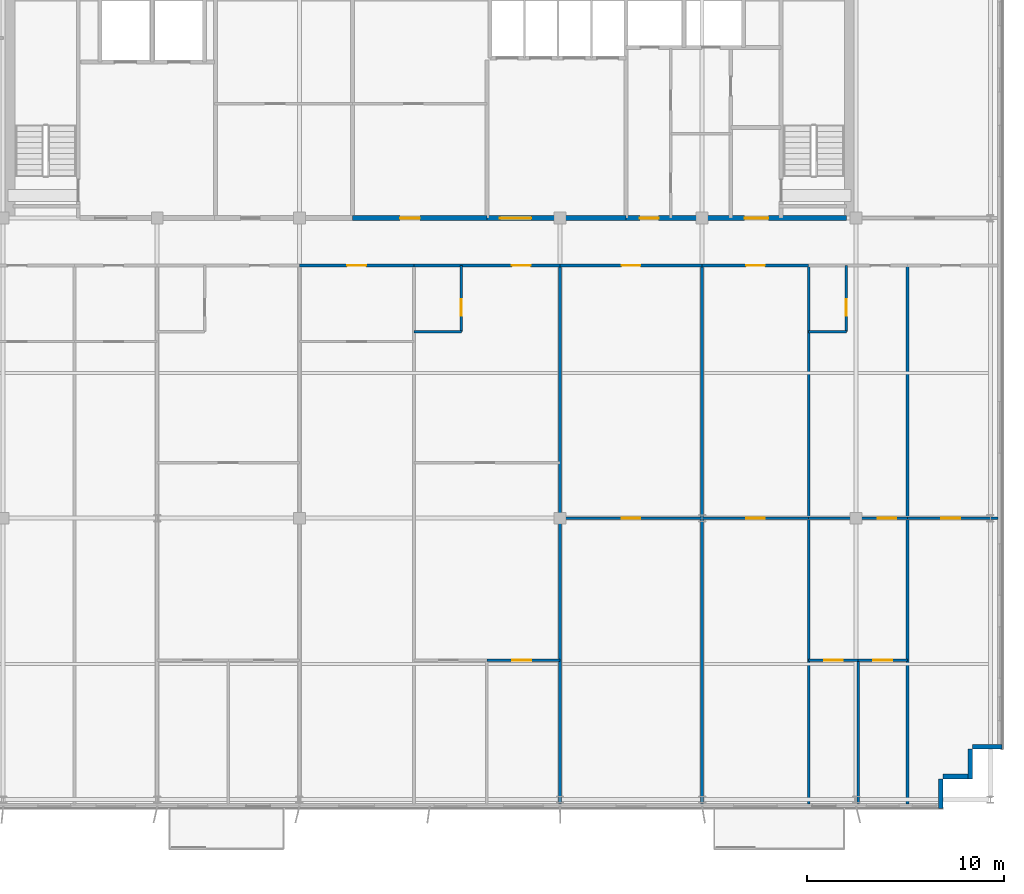
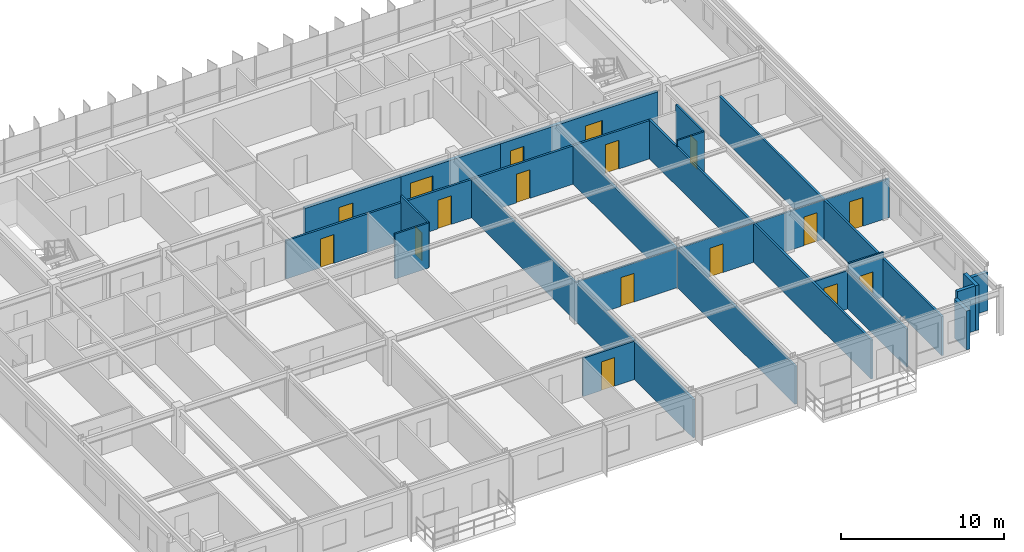
# One storey, part 18 of 23: 27 walls, 17 doors, 17 openings.
"""IFC4 building model written with IfcOpenShell, lengths in metres."""

import ifcopenshell
import ifcopenshell.guid

model = None  # the IFC model being written
_history = None  # IfcOwnerHistory: only IFC2X3 demands one
_inside = {}  # id of a spatial element -> (the spatial element, [elements in it])
_under = {}  # id of a project, library or spatial element -> (it, [spatial elements below it])
_declared = {}  # id of a project -> (the project, [libraries it declares])
_typed = {}  # id of a type object -> (the type object, [elements of that type])
_made_of = {}  # id of a material, layer set ... -> (it, [elements and type objects made of it])


def new_model(schema):
    """Start an empty IFC model of exactly this schema.

    Asked for "IFC4X3", IfcOpenShell would pick the latest addendum, in which some entities
    have other attributes; the version numbers below select the first issue.
    IFC2X3 requires an IfcOwnerHistory on every rooted entity: one is made here for all.
    """
    global model, _history
    if schema == "IFC4X3":
        model = ifcopenshell.file(schema_version=(4, 3, 0, 0))
    else:
        model = ifcopenshell.file(schema=schema)
    _inside.clear()
    _under.clear()
    _declared.clear()
    _typed.clear()
    _made_of.clear()
    _history = None
    if model.schema == "IFC2X3":
        org = make("IfcOrganization", Name="unknown")
        user = make(
            "IfcPersonAndOrganization",
            ThePerson=make("IfcPerson", FamilyName="unknown"),
            TheOrganization=org,
        )
        app = make(
            "IfcApplication",
            ApplicationDeveloper=org,
            Version="unknown",
            ApplicationFullName="unknown",
            ApplicationIdentifier="unknown",
        )
        _history = make(
            "IfcOwnerHistory",
            OwningUser=user,
            OwningApplication=app,
            ChangeAction="ADDED",
            CreationDate=0,
        )
    return model


def make(cls, **values):
    """One entity of the class cls with the attributes given. An attribute that is None is left unset."""
    return model.create_entity(
        cls, **{name: value for name, value in values.items() if value is not None}
    )


def rooted(cls, **values):
    """An entity with a GlobalId (a new one), such as an element, a storey or a relation."""
    return make(cls, GlobalId=ifcopenshell.guid.new(), OwnerHistory=_history, **values)


def si_unit(unit_type, name, prefix=None):
    """IfcSIUnit, for example si_unit("LENGTHUNIT", "METRE", prefix="MILLI")."""
    return make("IfcSIUnit", UnitType=unit_type, Prefix=prefix, Name=name)


def assignment(units):
    """IfcUnitAssignment: the units of a project."""
    return None if units is None else make("IfcUnitAssignment", Units=units)


def point(xyz):
    """IfcCartesianPoint."""
    return None if xyz is None else make("IfcCartesianPoint", Coordinates=xyz)


def direction(xyz):
    """IfcDirection."""
    return None if xyz is None else make("IfcDirection", DirectionRatios=xyz)


def frame(location, z_axis=None, x_axis=None):
    """IfcAxis2Placement3D, a coordinate frame: its origin and axes. An axis left out is left unset."""
    return make(
        "IfcAxis2Placement3D",
        Location=point(location),
        Axis=direction(z_axis),
        RefDirection=direction(x_axis),
    )


def frame_2d(location, x_axis=None):
    """IfcAxis2Placement2D, a coordinate frame in the plane: its origin and x axis."""
    return make(
        "IfcAxis2Placement2D", Location=point(location), RefDirection=direction(x_axis)
    )


def origin():
    """The frame at (0, 0, 0) with its axes left unset."""
    return frame((0.0, 0.0, 0.0))


def place(relative_to, where):
    """IfcLocalPlacement: puts the frame where relative to a parent placement (None: the world)."""
    return make(
        "IfcLocalPlacement", PlacementRelTo=relative_to, RelativePlacement=where
    )


def context(
    kind, dimensions, precision=None, world=None, true_north=None, identifier=None
):
    """IfcGeometricRepresentationContext, for example the 3D "Model" context."""
    return make(
        "IfcGeometricRepresentationContext",
        ContextIdentifier=identifier,
        ContextType=kind,
        CoordinateSpaceDimension=dimensions,
        Precision=precision,
        WorldCoordinateSystem=world,
        TrueNorth=true_north,
    )


def subcontext(parent, identifier, kind, view, scale=None):
    """IfcGeometricRepresentationSubContext, for example "Body" below "Model"."""
    return make(
        "IfcGeometricRepresentationSubContext",
        ContextIdentifier=identifier,
        ContextType=kind,
        ParentContext=parent,
        TargetScale=scale,
        TargetView=view,
    )


def project(units=None, contexts=None):
    """IfcProject with its units and contexts."""
    return rooted(
        "IfcProject",
        Name="project",
        RepresentationContexts=contexts,
        UnitsInContext=assignment(units),
    )


def spatial(cls, under=None, at=None, **own):
    """A site, building, storey or space (cls), placed at a placement, below another one or the project."""
    s = rooted(cls, ObjectPlacement=at, **own)
    if under is not None:
        _under.setdefault(under.id(), (under, []))[1].append(s)
    return s


def profile(cls, at=None, kind="AREA", **sizes):
    """A parametric profile (cls). Its sizes go by their IFC names, for example OverallWidth=200.0."""
    return make(cls, ProfileType=kind, Position=at, **sizes)


def rectangle(**sizes):
    """IfcRectangleProfileDef."""
    return profile("IfcRectangleProfileDef", **sizes)


def extrude(swept, where, along, depth):
    """IfcExtrudedAreaSolid: the profile swept, set in the frame where, extruded along a direction by depth."""
    return make(
        "IfcExtrudedAreaSolid",
        SweptArea=swept,
        Position=where,
        ExtrudedDirection=direction(along),
        Depth=depth,
    )


def shape(context_of_items, identifier, shape_type, items):
    """IfcShapeRepresentation: the items that make up one representation, for example the "Body"."""
    return make(
        "IfcShapeRepresentation",
        ContextOfItems=context_of_items,
        RepresentationIdentifier=identifier,
        RepresentationType=shape_type,
        Items=items,
    )


def source(mapping_origin, context_of_items, identifier, shape_type, items):
    """IfcRepresentationMap: a shape defined once, which mapped items show again and again."""
    return make(
        "IfcRepresentationMap",
        MappingOrigin=mapping_origin,
        MappedRepresentation=shape(context_of_items, identifier, shape_type, items),
    )


def transform(
    local_origin,
    x_axis=None,
    y_axis=None,
    z_axis=None,
    scale=None,
    scale2=None,
    scale3=None,
    uniform=True,
):
    """IfcCartesianTransformationOperator3D, or its non-uniform kind. x_axis, y_axis, z_axis: its Axis1, 2, 3."""
    if uniform:
        return make(
            "IfcCartesianTransformationOperator3D",
            Axis1=direction(x_axis),
            Axis2=direction(y_axis),
            LocalOrigin=point(local_origin),
            Scale=scale,
            Axis3=direction(z_axis),
        )
    return make(
        "IfcCartesianTransformationOperator3DnonUniform",
        Axis1=direction(x_axis),
        Axis2=direction(y_axis),
        LocalOrigin=point(local_origin),
        Scale=scale,
        Axis3=direction(z_axis),
        Scale2=scale2,
        Scale3=scale3,
    )


def mapped(mapping_source, mapping_target):
    """IfcMappedItem: shows the shape of a source again, moved by a transform."""
    return make(
        "IfcMappedItem", MappingSource=mapping_source, MappingTarget=mapping_target
    )


def material(Name=None, Category=None):
    """IfcMaterial."""
    return make("IfcMaterial", Name=Name, Category=Category)


def layer(
    of_material, thickness, ventilated=None, Name=None, Category=None, Priority=None
):
    """IfcMaterialLayer: one layer of a wall or slab, of a material (None: an air gap)."""
    return make(
        "IfcMaterialLayer",
        Material=of_material,
        LayerThickness=thickness,
        IsVentilated=ventilated,
        Name=Name,
        Category=Category,
        Priority=Priority,
    )


def layer_set(layers, Name=None):
    """IfcMaterialLayerSet."""
    return make("IfcMaterialLayerSet", MaterialLayers=layers, LayerSetName=Name)


def made_of(thing, what):
    """Note that an element or type object is made of a material, layer set ...; save() writes the relation."""
    if what is not None:
        _made_of.setdefault(what.id(), (what, []))[1].append(thing)
    return thing


def type_object(cls, material=None, **own):
    """A type object (cls), such as IfcWallType, which elements share."""
    return made_of(rooted(cls, **own), material)


def element(
    cls,
    number,
    at=None,
    inside=None,
    cuts=None,
    type_object=None,
    material=None,
    context=None,
    identifier="Body",
    shape_type=None,
    held_by="IfcProductDefinitionShape",
    body=None,
    shapes=None,
    **own,
):
    """One element of the class cls, such as IfcWall. Its Tag is "e" and its number.

    at: its placement. inside: the storey or other place that contains it. cuts: it is an
    opening in that element (IfcRelVoidsElement). A single representation is given by context,
    identifier, shape_type and body (its items); several are given by shapes. held_by: the class
    of the entity that holds the representations. save() writes the other relations.
    """
    e = rooted(cls, Tag="e%d" % number, ObjectPlacement=at, **own)
    if body is not None:
        shapes = [shape(context, identifier, shape_type, body)]
    if shapes is not None:
        e.Representation = make(held_by, Representations=shapes)
    if inside is not None:
        _inside.setdefault(inside.id(), (inside, []))[1].append(e)
    if cuts is not None:
        rooted(
            "IfcRelVoidsElement", RelatingBuildingElement=cuts, RelatedOpeningElement=e
        )
    if type_object is not None:
        _typed.setdefault(type_object.id(), (type_object, []))[1].append(e)
    return made_of(e, material)


def fill(opening, filler):
    """IfcRelFillsElement: the door or window that sits in an opening."""
    return rooted(
        "IfcRelFillsElement",
        RelatingOpeningElement=opening,
        RelatedBuildingElement=filler,
    )


def aggregate(whole, parts):
    """IfcRelAggregates: a whole, such as a stair, and the parts it consists of."""
    return rooted("IfcRelAggregates", RelatingObject=whole, RelatedObjects=parts)


def save(model, path):
    """Write the relations noted so far, then the file.

    IfcRelAggregates (storeys below a building ...), IfcRelContainedInSpatialStructure (elements
    in a storey), IfcRelDefinesByType, IfcRelAssociatesMaterial and IfcRelDeclares: one each for
    every whole, place, type object, material and project.
    """
    for whole, parts in _under.values():
        aggregate(whole, parts)
    for where, things in _inside.values():
        rooted(
            "IfcRelContainedInSpatialStructure",
            RelatedElements=things,
            RelatingStructure=where,
        )
    for kind, things in _typed.values():
        rooted("IfcRelDefinesByType", RelatedObjects=things, RelatingType=kind)
    for what, things in _made_of.values():
        rooted("IfcRelAssociatesMaterial", RelatedObjects=things, RelatingMaterial=what)
    for by, libraries in _declared.values():
        rooted("IfcRelDeclares", RelatingContext=by, RelatedDefinitions=libraries)
    model.write(path)


model = new_model("IFC4")

# Units and contexts
model_context = context("Model", 3, precision=1e-05, world=origin(), true_north=direction((0.0, 1.0)))
body_context = subcontext(model_context, "Body", "Model", "MODEL_VIEW")
ifc_project = project(units=[si_unit("LENGTHUNIT", "METRE"), si_unit("AREAUNIT", "SQUARE_METRE"), si_unit("VOLUMEUNIT", "CUBIC_METRE"), si_unit("PLANEANGLEUNIT", "RADIAN"), si_unit("MASSUNIT", "GRAM", prefix="KILO")], contexts=[model_context])

# Site, building, storey
site_placement = place(None, origin())
site = spatial("IfcSite", under=ifc_project, at=site_placement, CompositionType="ELEMENT")
building_placement = place(site_placement, origin())
building = spatial("IfcBuilding", under=site, at=building_placement, Name="Trelvane Seafront Commons", CompositionType="ELEMENT")
storey_placement = place(building_placement, frame((0.0, 0.0, 263.10009765625)))
storey = spatial("IfcBuildingStorey", under=building, at=storey_placement, Name="L68", CompositionType="ELEMENT", Elevation=263.10009765625)

# Walls
ifc_material_1 = material(Name="Precast concrete C40/50", Category="concrete")
ifc_layer_1 = layer(ifc_material_1, 0.239990234375, Name="ARCH-WALL-EXT240")
ifc_layer_set_1 = layer_set([ifc_layer_1], Name="Precast concrete C40/50")
wall_type_1 = type_object("IfcWallType", Name="ARCH-WALL-EXT240", PredefinedType="SOLIDWALL", material=ifc_layer_set_1)
wall_1_placement = place(storey_placement, frame((66.199951171875, 6.6201171875, 0.0), z_axis=(0.0, 0.0, 1.0), x_axis=(-1.0, 0.0, 0.0)))
element("IfcWall", 1, at=wall_1_placement, inside=storey, type_object=wall_type_1, Name="EW-L68-01376", PredefinedType="SOLIDWALL", context=body_context, shape_type="SweptSolid", body=[
    extrude(rectangle(XDim=1.5, YDim=0.239990234375, at=frame_2d((0.75, 0.0))), origin(), (0.0, 0.0, 1.0), 2.869873046875),
])
for number, where, z_axis, x_axis, name in (
    (2, (64.580078125, 6.5, 0.0), (0.0, 0.0, 1.0), (0.0, -1.0, 0.0), "EW-L68-01377"),
    (3, (64.699951171875, 5.1201171875, 0.0), (0.0, 0.0, 1.0), (-1.0, 0.0, 0.0), "EW-L68-01378"),
):
    element("IfcWall", number, at=place(storey_placement, frame(where, z_axis=z_axis, x_axis=x_axis)), inside=storey, type_object=wall_type_1, Name=name, PredefinedType="SOLIDWALL", context=body_context, shape_type="SweptSolid", body=[
        extrude(rectangle(XDim=1.5, YDim=0.239990234375, at=frame_2d((0.75, 0.0))), origin(), (0.0, 0.0, 1.0), 3.369873046875),
    ])
wall_2_placement = place(storey_placement, frame((63.080078125, 5.0, 0.0), z_axis=(0.0, 0.0, 1.0), x_axis=(0.0, -1.0, 0.0)))
element("IfcWall", 4, at=wall_2_placement, inside=storey, type_object=wall_type_1, Name="EW-L68-01379", PredefinedType="SOLIDWALL", context=body_context, shape_type="SweptSolid", body=[
    extrude(rectangle(XDim=1.5, YDim=0.239990234375, at=frame_2d((0.75, 0.0))), origin(), (0.0, 0.0, 1.0), 2.919921875),
])

# Wall, opening, door
ifc_material_2 = material(Name="Concrete C40/50", Category="concrete")
ifc_layer_2 = layer(ifc_material_2, 0.25, Name="ARCH-WALL-FIRE250")
ifc_layer_set_2 = layer_set([ifc_layer_2], Name="Concrete C40/50")
wall_type_2 = type_object("IfcWallType", Name="ARCH-WALL-FIRE250", PredefinedType="PARTITIONING", material=ifc_layer_set_2)
wall_3_placement = place(storey_placement, frame((33.300048828125, 33.39990234375, 0.0), z_axis=(0.0, 0.0, 1.0), x_axis=(1.0, 0.0, 0.0)))
wall_3 = element("IfcWall", 5, at=wall_3_placement, inside=storey, type_object=wall_type_2, Name="W-L68-CS-FPM-025", PredefinedType="PARTITIONING", context=body_context, shape_type="SweptSolid", body=[
    extrude(rectangle(XDim=6.800048828125, YDim=0.25, at=frame_2d((3.39990234375, 0.0))), origin(), (0.0, 0.0, 1.0), 2.919921875),
])
opening_1_placement = place(wall_3_placement, frame((2.39990234375, 0.0, 0.0)))
opening_1 = element("IfcOpeningElement", 6, at=opening_1_placement, cuts=wall_3, Name="Opening FD-L68-13", PredefinedType="OPENING", context=body_context, shape_type="SweptSolid", body=[
    extrude(rectangle(XDim=1.0, YDim=2.14990234375, at=frame_2d((0.5, 1.074951171875))), frame((0.0, 0.135009765625, 0.0), z_axis=(0.0, -1.0, 0.0), x_axis=(1.0, 0.0, 0.0)), (0.0, 0.0, 1.0), 0.27001953125),
])
ifc_material_3 = material(Name="Powder-coated aluminium frame", Category="aluminium")
door_type_1 = type_object("IfcDoorType", Name="ARCH-DR-FD60-1000", OperationType="NOTDEFINED", PredefinedType="DOOR", material=ifc_material_3)
shared_shape_1 = source(origin(), body_context, "Body", "SweptSolid", [
    extrude(rectangle(XDim=1.0, YDim=2.14990234375, at=frame_2d((0.5, 1.074951171875))), frame((0.0, 0.02490234375, 0.0), z_axis=(0.0, -1.0, 0.0), x_axis=(1.0, 0.0, 0.0)), (0.0, 0.0, 1.0), 0.050048828125),
])
door_1_placement = place(opening_1_placement, origin())
door_1 = element("IfcDoor", 7, at=door_1_placement, inside=storey, type_object=door_type_1, Name="L68 Trunk Storage Door", OperationType="SINGLE_SWING_LEFT", OverallHeight=2.14990234375, OverallWidth=1.0, PredefinedType="DOOR", context=body_context, shape_type="MappedRepresentation", body=[
    mapped(shared_shape_1, transform((0.0, 0.0, 0.0), x_axis=(1.0, 0.0, 0.0), y_axis=(0.0, 1.0, 0.0), z_axis=(0.0, 0.0, 1.0), scale=1.0)),
])
fill(opening_1, door_1)

wall_4_placement = place(storey_placement, frame((40.10009765625, 33.39990234375, 0.0), z_axis=(0.0, 0.0, 1.0), x_axis=(1.0, 0.0, 0.0)))
wall_4 = element("IfcWall", 8, at=wall_4_placement, inside=storey, type_object=wall_type_2, Name="W-L68-CS-PAX-026", PredefinedType="PARTITIONING", context=body_context, shape_type="SweptSolid", body=[
    extrude(rectangle(XDim=7.0498046875, YDim=0.25, at=frame_2d((3.52490234375, 0.0))), origin(), (0.0, 0.0, 1.0), 2.919921875),
])
opening_2_placement = place(wall_4_placement, frame((0.64990234375, 0.0, 0.0)))
opening_2 = element("IfcOpeningElement", 9, at=opening_2_placement, cuts=wall_4, Name="Opening FD-L68-14", PredefinedType="OPENING", context=body_context, shape_type="SweptSolid", body=[
    extrude(rectangle(XDim=1.60009765625, YDim=2.199951171875, at=frame_2d((0.800048828125, 1.10009765625))), frame((0.0, 0.135009765625, 0.0), z_axis=(0.0, -1.0, 0.0), x_axis=(1.0, 0.0, 0.0)), (0.0, 0.0, 1.0), 0.27001953125),
])
door_type_2 = type_object("IfcDoorType", Name="ARCH-DR-FD60-1600", OperationType="DOUBLE_DOOR_SINGLE_SWING", PredefinedType="DOOR", material=ifc_material_3)
shared_shape_2 = source(origin(), body_context, "Body", "SweptSolid", [
    extrude(rectangle(XDim=1.60009765625, YDim=2.199951171875, at=frame_2d((0.800048828125, 1.10009765625))), frame((0.0, 0.02490234375, 0.0), z_axis=(0.0, -1.0, 0.0), x_axis=(1.0, 0.0, 0.0)), (0.0, 0.0, 1.0), 0.050048828125),
])
door_2_placement = place(opening_2_placement, origin())
door_2 = element("IfcDoor", 10, at=door_2_placement, inside=storey, type_object=door_type_2, Name="L68 High-Rise Lift Lobby Double Door", OperationType="DOUBLE_DOOR_SINGLE_SWING", OverallHeight=2.199951171875, OverallWidth=1.60009765625, PredefinedType="DOOR", context=body_context, shape_type="MappedRepresentation", body=[
    mapped(shared_shape_2, transform((0.0, 0.0, 0.0), x_axis=(1.0, 0.0, 0.0), y_axis=(0.0, 1.0, 0.0), z_axis=(0.0, 0.0, 1.0), scale=1.0)),
])
fill(opening_2, door_2)

# Wall, openings, doors
wall_5_placement = place(storey_placement, frame((47.14990234375, 33.39990234375, 0.0), z_axis=(0.0, 0.0, 1.0), x_axis=(1.0, 0.0, 0.0)))
wall_5 = element("IfcWall", 11, at=wall_5_placement, inside=storey, type_object=wall_type_2, Name="W-L68-CS-EAST-034", PredefinedType="PARTITIONING", context=body_context, shape_type="SweptSolid", body=[
    extrude(rectangle(XDim=11.150146484375, YDim=0.25, at=frame_2d((5.5751953125, 0.0))), origin(), (0.0, 0.0, 1.0), 2.919921875),
])
opening_3_placement = place(wall_5_placement, frame((0.699951171875, 0.0, 0.0)))
opening_3 = element("IfcOpeningElement", 12, at=opening_3_placement, cuts=wall_5, Name="Opening FD-L68-20", PredefinedType="OPENING", context=body_context, shape_type="SweptSolid", body=[
    extrude(rectangle(XDim=0.949951171875, YDim=2.14990234375, at=frame_2d((0.47509765625, 1.074951171875))), frame((0.0, 0.135009765625, 0.0), z_axis=(0.0, -1.0, 0.0), x_axis=(1.0, 0.0, 0.0)), (0.0, 0.0, 1.0), 0.27001953125),
])
opening_4_placement = place(wall_5_placement, frame((6.0, 0.0, 0.0)))
opening_4 = element("IfcOpeningElement", 13, at=opening_4_placement, cuts=wall_5, Name="Opening FD-L68-21", PredefinedType="OPENING", context=body_context, shape_type="SweptSolid", body=[
    extrude(rectangle(XDim=1.199951171875, YDim=2.14990234375, at=frame_2d((0.60009765625, 1.074951171875))), frame((0.0, 0.135009765625, 0.0), z_axis=(0.0, -1.0, 0.0), x_axis=(1.0, 0.0, 0.0)), (0.0, 0.0, 1.0), 0.27001953125),
])
door_type_3 = type_object("IfcDoorType", Name="ARCH-DR-FD60-950", OperationType="NOTDEFINED", PredefinedType="DOOR", material=ifc_material_3)
shared_shape_3 = source(origin(), body_context, "Body", "SweptSolid", [
    extrude(rectangle(XDim=0.949951171875, YDim=2.14990234375, at=frame_2d((0.47509765625, 1.074951171875))), frame((0.0, 0.02490234375, 0.0), z_axis=(0.0, -1.0, 0.0), x_axis=(1.0, 0.0, 0.0)), (0.0, 0.0, 1.0), 0.050048828125),
])
door_3_placement = place(opening_3_placement, origin())
door_3 = element("IfcDoor", 14, at=door_3_placement, inside=storey, type_object=door_type_3, Name="L68 Core Service Lobby Door", OperationType="SINGLE_SWING_RIGHT", OverallHeight=2.14990234375, OverallWidth=0.949951171875, PredefinedType="DOOR", context=body_context, shape_type="MappedRepresentation", body=[
    mapped(shared_shape_3, transform((0.0, 0.0, 0.0), x_axis=(1.0, 0.0, 0.0), y_axis=(0.0, 1.0, 0.0), z_axis=(0.0, 0.0, 1.0), scale=1.0)),
])
fill(opening_3, door_3)
door_type_4 = type_object("IfcDoorType", Name="ARCH-DR-FD60-1200", OperationType="NOTDEFINED", PredefinedType="DOOR", material=ifc_material_3)
shared_shape_4 = source(origin(), body_context, "Body", "SweptSolid", [
    extrude(rectangle(XDim=1.199951171875, YDim=2.14990234375, at=frame_2d((0.60009765625, 1.074951171875))), frame((0.0, 0.02490234375, 0.0), z_axis=(0.0, -1.0, 0.0), x_axis=(1.0, 0.0, 0.0)), (0.0, 0.0, 1.0), 0.050048828125),
])
door_4_placement = place(opening_4_placement, origin())
door_4 = element("IfcDoor", 15, at=door_4_placement, inside=storey, type_object=door_type_4, Name="L68 East Stair Vestibule Fire Door", OperationType="SINGLE_SWING_LEFT", OverallHeight=2.14990234375, OverallWidth=1.199951171875, PredefinedType="DOOR", context=body_context, shape_type="MappedRepresentation", body=[
    mapped(shared_shape_4, transform((0.0, 0.0, 0.0), x_axis=(1.0, 0.0, 0.0), y_axis=(0.0, 1.0, 0.0), z_axis=(0.0, 0.0, 1.0), scale=1.0)),
])
fill(opening_4, door_4)

# Wall, opening, door
ifc_material_4 = material(Name="Gypsum Drywall Acoustic Partition")
ifc_layer_3 = layer(ifc_material_4, 0.1201171875, Name="ARCH-WALL-PART120")
ifc_layer_set_3 = layer_set([ifc_layer_3], Name="Gypsum Drywall Acoustic Partition")
wall_type_3 = type_object("IfcWallType", Name="ARCH-WALL-PART120", PredefinedType="PARTITIONING", material=ifc_layer_set_3)
wall_6_placement = place(storey_placement, frame((38.800048828125, 27.64990234375, 0.0), z_axis=(0.0, 0.0, 1.0), x_axis=(0.0, 1.0, 0.0)))
wall_6 = element("IfcWall", 16, at=wall_6_placement, inside=storey, type_object=wall_type_3, Name="W-L68-U6-BE-073", PredefinedType="PARTITIONING", context=body_context, shape_type="SweptSolid", body=[
    extrude(rectangle(XDim=3.35009765625, YDim=0.1201171875, at=frame_2d((1.675048828125, 0.0))), origin(), (0.0, 0.0, 1.0), 3.369873046875),
])
opening_5_placement = place(wall_6_placement, frame((0.800048828125, 0.0, 0.0)))
opening_5 = element("IfcOpeningElement", 17, at=opening_5_placement, cuts=wall_6, Name="Opening D-L68-46", PredefinedType="OPENING", context=body_context, shape_type="SweptSolid", body=[
    extrude(rectangle(XDim=0.85009765625, YDim=2.10009765625, at=frame_2d((0.425048828125, 1.050048828125))), frame((0.0, 0.070068359375, 0.0), z_axis=(0.0, -1.0, 0.0), x_axis=(1.0, 0.0, 0.0)), (0.0, 0.0, 1.0), 0.14013671875),
])
ifc_material_5 = material(Name="Acoustic timber door leaf", Category="wood")
door_type_5 = type_object("IfcDoorType", Name="ARCH-DR-INT850", OperationType="NOTDEFINED", PredefinedType="DOOR", material=ifc_material_5)
shared_shape_5 = source(origin(), body_context, "Body", "SweptSolid", [
    extrude(rectangle(XDim=0.85009765625, YDim=2.10009765625, at=frame_2d((0.425048828125, 1.050048828125))), frame((0.0, 0.02490234375, 0.0), z_axis=(0.0, -1.0, 0.0), x_axis=(1.0, 0.0, 0.0)), (0.0, 0.0, 1.0), 0.050048828125),
])
door_5_placement = place(opening_5_placement, origin())
door_5 = element("IfcDoor", 18, at=door_5_placement, inside=storey, type_object=door_type_5, Name="L68 Door 46", OperationType="SINGLE_SWING_RIGHT", OverallHeight=2.10009765625, OverallWidth=0.85009765625, PredefinedType="DOOR", context=body_context, shape_type="MappedRepresentation", body=[
    mapped(shared_shape_5, transform((0.0, 0.0, 0.0), x_axis=(1.0, 0.0, 0.0), y_axis=(0.0, 1.0, 0.0), z_axis=(0.0, 0.0, 1.0), scale=1.0)),
])
fill(opening_5, door_5)

# Wall
wall_7_placement = place(storey_placement, frame((36.39990234375, 27.64990234375, 0.0), z_axis=(0.0, 0.0, 1.0), x_axis=(1.0, 0.0, 0.0)))
element("IfcWall", 19, at=wall_7_placement, inside=storey, type_object=wall_type_3, Name="W-L68-U6-BS-074", PredefinedType="PARTITIONING", context=body_context, shape_type="SweptSolid", body=[
    extrude(rectangle(XDim=2.400146484375, YDim=0.1201171875, at=frame_2d((1.2001953125, 0.0))), origin(), (0.0, 0.0, 1.0), 3.369873046875),
])

# Wall, opening, door
wall_8_placement = place(storey_placement, frame((40.10009765625, 11.0, 0.0), z_axis=(0.0, 0.0, 1.0), x_axis=(1.0, 0.0, 0.0)))
wall_8 = element("IfcWall", 20, at=wall_8_placement, inside=storey, type_object=wall_type_3, Name="W-L68-U6-YM-2-077", PredefinedType="PARTITIONING", context=body_context, shape_type="SweptSolid", body=[
    extrude(rectangle(XDim=3.699951171875, YDim=0.1201171875, at=frame_2d((1.85009765625, 0.0))), origin(), (0.0, 0.0, 1.0), 2.869873046875),
])
opening_6_placement = place(wall_8_placement, frame((1.284912109375, 0.0, 0.0)))
opening_6 = element("IfcOpeningElement", 21, at=opening_6_placement, cuts=wall_8, Name="Opening D-L68-49", PredefinedType="OPENING", context=body_context, shape_type="SweptSolid", body=[
    extrude(rectangle(XDim=0.949951171875, YDim=2.14990234375, at=frame_2d((0.47509765625, 1.074951171875))), frame((0.0, 0.070068359375, 0.0), z_axis=(0.0, -1.0, 0.0), x_axis=(1.0, 0.0, 0.0)), (0.0, 0.0, 1.0), 0.14013671875),
])
door_type_6 = type_object("IfcDoorType", Name="ARCH-DR-INT950", OperationType="NOTDEFINED", PredefinedType="DOOR", material=ifc_material_5)
door_6_placement = place(opening_6_placement, origin())
door_6 = element("IfcDoor", 22, at=door_6_placement, inside=storey, type_object=door_type_6, Name="L68 Door 49", OperationType="SINGLE_SWING_LEFT", OverallHeight=2.14990234375, OverallWidth=0.949951171875, PredefinedType="DOOR", context=body_context, shape_type="MappedRepresentation", body=[
    mapped(shared_shape_3, transform((0.0, 0.0, 0.0), x_axis=(1.0, 0.0, 0.0), y_axis=(0.0, 1.0, 0.0), z_axis=(0.0, 0.0, 1.0), scale=1.0)),
])
fill(opening_6, door_6)

wall_9_placement = place(storey_placement, frame((43.800048828125, 18.199951171875, 0.0), z_axis=(0.0, 0.0, 1.0), x_axis=(1.0, 0.0, 0.0)))
wall_9 = element("IfcWall", 23, at=wall_9_placement, inside=storey, type_object=wall_type_3, Name="W-L68-U7-DIV-080", PredefinedType="PARTITIONING", context=body_context, shape_type="SweptSolid", body=[
    extrude(rectangle(XDim=7.199951171875, YDim=0.1201171875, at=frame_2d((3.60009765625, 0.0))), origin(), (0.0, 0.0, 1.0), 2.919921875),
])
opening_7_placement = place(wall_9_placement, frame((3.125, 0.0, 0.0)))
opening_7 = element("IfcOpeningElement", 24, at=opening_7_placement, cuts=wall_9, Name="Opening D-L68-51", PredefinedType="OPENING", context=body_context, shape_type="SweptSolid", body=[
    extrude(rectangle(XDim=0.949951171875, YDim=2.14990234375, at=frame_2d((0.47509765625, 1.074951171875))), frame((0.0, 0.070068359375, 0.0), z_axis=(0.0, -1.0, 0.0), x_axis=(1.0, 0.0, 0.0)), (0.0, 0.0, 1.0), 0.14013671875),
])
door_7_placement = place(opening_7_placement, origin())
door_7 = element("IfcDoor", 25, at=door_7_placement, inside=storey, type_object=door_type_6, Name="L68 Door 51", OperationType="SINGLE_SWING_LEFT", OverallHeight=2.14990234375, OverallWidth=0.949951171875, PredefinedType="DOOR", context=body_context, shape_type="MappedRepresentation", body=[
    mapped(shared_shape_3, transform((0.0, 0.0, 0.0), x_axis=(1.0, 0.0, 0.0), y_axis=(0.0, 1.0, 0.0), z_axis=(0.0, 0.0, 1.0), scale=1.0)),
])
fill(opening_7, door_7)

wall_10_placement = place(storey_placement, frame((51.0, 18.199951171875, 0.0), z_axis=(0.0, 0.0, 1.0), x_axis=(1.0, 0.0, 0.0)))
wall_10 = element("IfcWall", 26, at=wall_10_placement, inside=storey, type_object=wall_type_3, Name="W-L68-U8-DIV-082", PredefinedType="PARTITIONING", context=body_context, shape_type="SweptSolid", body=[
    extrude(rectangle(XDim=5.39990234375, YDim=0.1201171875, at=frame_2d((2.699951171875, 0.0))), origin(), (0.0, 0.0, 1.0), 2.919921875),
])
opening_8_placement = place(wall_10_placement, frame((2.22509765625, 0.0, 0.0)))
opening_8 = element("IfcOpeningElement", 27, at=opening_8_placement, cuts=wall_10, Name="Opening D-L68-53", PredefinedType="OPENING", context=body_context, shape_type="SweptSolid", body=[
    extrude(rectangle(XDim=0.949951171875, YDim=2.14990234375, at=frame_2d((0.47509765625, 1.074951171875))), frame((0.0, 0.070068359375, 0.0), z_axis=(0.0, -1.0, 0.0), x_axis=(1.0, 0.0, 0.0)), (0.0, 0.0, 1.0), 0.14013671875),
])
door_8_placement = place(opening_8_placement, origin())
door_8 = element("IfcDoor", 28, at=door_8_placement, inside=storey, type_object=door_type_6, Name="L68 Door 53", OperationType="SINGLE_SWING_LEFT", OverallHeight=2.14990234375, OverallWidth=0.949951171875, PredefinedType="DOOR", context=body_context, shape_type="MappedRepresentation", body=[
    mapped(shared_shape_3, transform((0.0, 0.0, 0.0), x_axis=(1.0, 0.0, 0.0), y_axis=(0.0, 1.0, 0.0), z_axis=(0.0, 0.0, 1.0), scale=1.0)),
])
fill(opening_8, door_8)

wall_11_placement = place(storey_placement, frame((56.39990234375, 18.199951171875, 0.0), z_axis=(0.0, 0.0, 1.0), x_axis=(1.0, 0.0, 0.0)))
wall_11 = element("IfcWall", 29, at=wall_11_placement, inside=storey, type_object=wall_type_3, Name="W-L68-U9-KL-083", PredefinedType="PARTITIONING", context=body_context, shape_type="SweptSolid", body=[
    extrude(rectangle(XDim=5.0, YDim=0.1201171875, at=frame_2d((2.5, 0.0))), origin(), (0.0, 0.0, 1.0), 2.919921875),
])
opening_9_placement = place(wall_11_placement, frame((3.487060546875, 0.0, 0.0)))
opening_9 = element("IfcOpeningElement", 30, at=opening_9_placement, cuts=wall_11, Name="Opening D-L68-54", PredefinedType="OPENING", context=body_context, shape_type="SweptSolid", body=[
    extrude(rectangle(XDim=0.949951171875, YDim=2.14990234375, at=frame_2d((0.47509765625, 1.074951171875))), frame((0.0, 0.070068359375, 0.0), z_axis=(0.0, -1.0, 0.0), x_axis=(1.0, 0.0, 0.0)), (0.0, 0.0, 1.0), 0.14013671875),
])
door_9_placement = place(opening_9_placement, origin())
door_9 = element("IfcDoor", 31, at=door_9_placement, inside=storey, type_object=door_type_6, Name="L68 Door 54", OperationType="SINGLE_SWING_RIGHT", OverallHeight=2.14990234375, OverallWidth=0.949951171875, PredefinedType="DOOR", context=body_context, shape_type="MappedRepresentation", body=[
    mapped(shared_shape_3, transform((0.0, 0.0, 0.0), x_axis=(1.0, 0.0, 0.0), y_axis=(0.0, 1.0, 0.0), z_axis=(0.0, 0.0, 1.0), scale=1.0)),
])
fill(opening_9, door_9)

wall_12_placement = place(storey_placement, frame((58.300048828125, 27.64990234375, 0.0), z_axis=(0.0, 0.0, 1.0), x_axis=(0.0, 1.0, 0.0)))
wall_12 = element("IfcWall", 32, at=wall_12_placement, inside=storey, type_object=wall_type_3, Name="W-L68-U9-BE-084", PredefinedType="PARTITIONING", context=body_context, shape_type="SweptSolid", body=[
    extrude(rectangle(XDim=3.35009765625, YDim=0.1201171875, at=frame_2d((1.675048828125, 0.0))), origin(), (0.0, 0.0, 1.0), 3.369873046875),
])
opening_10_placement = place(wall_12_placement, frame((0.800048828125, 0.0, 0.0)))
opening_10 = element("IfcOpeningElement", 33, at=opening_10_placement, cuts=wall_12, Name="Opening D-L68-55", PredefinedType="OPENING", context=body_context, shape_type="SweptSolid", body=[
    extrude(rectangle(XDim=0.85009765625, YDim=2.10009765625, at=frame_2d((0.425048828125, 1.050048828125))), frame((0.0, 0.070068359375, 0.0), z_axis=(0.0, -1.0, 0.0), x_axis=(1.0, 0.0, 0.0)), (0.0, 0.0, 1.0), 0.14013671875),
])
door_10_placement = place(opening_10_placement, origin())
door_10 = element("IfcDoor", 34, at=door_10_placement, inside=storey, type_object=door_type_5, Name="L68 Door 55", OperationType="SINGLE_SWING_LEFT", OverallHeight=2.10009765625, OverallWidth=0.85009765625, PredefinedType="DOOR", context=body_context, shape_type="MappedRepresentation", body=[
    mapped(shared_shape_5, transform((0.0, 0.0, 0.0), x_axis=(1.0, 0.0, 0.0), y_axis=(0.0, 1.0, 0.0), z_axis=(0.0, 0.0, 1.0), scale=1.0)),
])
fill(opening_10, door_10)

# Wall
wall_13_placement = place(storey_placement, frame((56.39990234375, 27.64990234375, 0.0), z_axis=(0.0, 0.0, 1.0), x_axis=(1.0, 0.0, 0.0)))
element("IfcWall", 35, at=wall_13_placement, inside=storey, type_object=wall_type_3, Name="W-L68-U9-BS-085", PredefinedType="PARTITIONING", context=body_context, shape_type="SweptSolid", body=[
    extrude(rectangle(XDim=1.900146484375, YDim=0.1201171875, at=frame_2d((0.9501953125, 0.0))), origin(), (0.0, 0.0, 1.0), 3.369873046875),
])

# Wall, opening, door
wall_14_placement = place(storey_placement, frame((56.39990234375, 11.0, 0.0), z_axis=(0.0, 0.0, 1.0), x_axis=(1.0, 0.0, 0.0)))
wall_14 = element("IfcWall", 36, at=wall_14_placement, inside=storey, type_object=wall_type_3, Name="W-L68-U9-YM-1-087", PredefinedType="PARTITIONING", context=body_context, shape_type="SweptSolid", body=[
    extrude(rectangle(XDim=2.5, YDim=0.1201171875, at=frame_2d((1.25, 0.0))), origin(), (0.0, 0.0, 1.0), 2.869873046875),
])
opening_11_placement = place(wall_14_placement, frame((0.77490234375, 0.0, 0.0)))
opening_11 = element("IfcOpeningElement", 37, at=opening_11_placement, cuts=wall_14, Name="Opening D-L68-57", PredefinedType="OPENING", context=body_context, shape_type="SweptSolid", body=[
    extrude(rectangle(XDim=0.949951171875, YDim=2.14990234375, at=frame_2d((0.47509765625, 1.074951171875))), frame((0.0, 0.070068359375, 0.0), z_axis=(0.0, -1.0, 0.0), x_axis=(1.0, 0.0, 0.0)), (0.0, 0.0, 1.0), 0.14013671875),
])
door_11_placement = place(opening_11_placement, origin())
door_11 = element("IfcDoor", 38, at=door_11_placement, inside=storey, type_object=door_type_6, Name="L68 Door 57", OperationType="SINGLE_SWING_LEFT", OverallHeight=2.14990234375, OverallWidth=0.949951171875, PredefinedType="DOOR", context=body_context, shape_type="MappedRepresentation", body=[
    mapped(shared_shape_3, transform((0.0, 0.0, 0.0), x_axis=(1.0, 0.0, 0.0), y_axis=(0.0, 1.0, 0.0), z_axis=(0.0, 0.0, 1.0), scale=1.0)),
])
fill(opening_11, door_11)

wall_15_placement = place(storey_placement, frame((58.89990234375, 11.0, 0.0), z_axis=(0.0, 0.0, 1.0), x_axis=(1.0, 0.0, 0.0)))
wall_15 = element("IfcWall", 39, at=wall_15_placement, inside=storey, type_object=wall_type_3, Name="W-L68-U9-YM-2-088", PredefinedType="PARTITIONING", context=body_context, shape_type="SweptSolid", body=[
    extrude(rectangle(XDim=2.5, YDim=0.1201171875, at=frame_2d((1.25, 0.0))), origin(), (0.0, 0.0, 1.0), 3.369873046875),
])
opening_12_placement = place(wall_15_placement, frame((0.77490234375, 0.0, 0.0)))
opening_12 = element("IfcOpeningElement", 40, at=opening_12_placement, cuts=wall_15, Name="Opening D-L68-58", PredefinedType="OPENING", context=body_context, shape_type="SweptSolid", body=[
    extrude(rectangle(XDim=0.949951171875, YDim=2.14990234375, at=frame_2d((0.47509765625, 1.074951171875))), frame((0.0, 0.070068359375, 0.0), z_axis=(0.0, -1.0, 0.0), x_axis=(1.0, 0.0, 0.0)), (0.0, 0.0, 1.0), 0.14013671875),
])
door_12_placement = place(opening_12_placement, origin())
door_12 = element("IfcDoor", 41, at=door_12_placement, inside=storey, type_object=door_type_6, Name="L68 Door 58", OperationType="SINGLE_SWING_RIGHT", OverallHeight=2.14990234375, OverallWidth=0.949951171875, PredefinedType="DOOR", context=body_context, shape_type="MappedRepresentation", body=[
    mapped(shared_shape_3, transform((0.0, 0.0, 0.0), x_axis=(1.0, 0.0, 0.0), y_axis=(0.0, 1.0, 0.0), z_axis=(0.0, 0.0, 1.0), scale=1.0)),
])
fill(opening_12, door_12)

# Wall
wall_16_placement = place(storey_placement, frame((58.89990234375, 3.72509765625, 0.0), z_axis=(0.0, 0.0, 1.0), x_axis=(0.0, 1.0, 0.0)))
element("IfcWall", 42, at=wall_16_placement, inside=storey, type_object=wall_type_3, Name="W-L68-U9-BDV-1-089", PredefinedType="PARTITIONING", context=body_context, shape_type="SweptSolid", body=[
    extrude(rectangle(XDim=7.27490234375, YDim=0.1201171875, at=frame_2d((3.637451171875, 0.0))), origin(), (0.0, 0.0, 1.0), 2.869873046875),
])

# Wall, opening, door
wall_17_placement = place(storey_placement, frame((61.39990234375, 18.199951171875, 0.0), z_axis=(0.0, 0.0, 1.0), x_axis=(1.0, 0.0, 0.0)))
wall_17 = element("IfcWall", 43, at=wall_17_placement, inside=storey, type_object=wall_type_3, Name="W-L68-U10-DIV-091", PredefinedType="PARTITIONING", context=body_context, shape_type="SweptSolid", body=[
    extrude(rectangle(XDim=4.5751953125, YDim=0.1201171875, at=frame_2d((2.28759765625, 0.0))), origin(), (0.0, 0.0, 1.0), 2.919921875),
])
opening_13_placement = place(wall_17_placement, frame((1.717041015625, 0.0, 0.0)))
opening_13 = element("IfcOpeningElement", 44, at=opening_13_placement, cuts=wall_17, Name="Opening D-L68-60", PredefinedType="OPENING", context=body_context, shape_type="SweptSolid", body=[
    extrude(rectangle(XDim=0.949951171875, YDim=2.14990234375, at=frame_2d((0.47509765625, 1.074951171875))), frame((0.0, 0.070068359375, 0.0), z_axis=(0.0, -1.0, 0.0), x_axis=(1.0, 0.0, 0.0)), (0.0, 0.0, 1.0), 0.14013671875),
])
door_13_placement = place(opening_13_placement, origin())
door_13 = element("IfcDoor", 45, at=door_13_placement, inside=storey, type_object=door_type_6, Name="L68 Door 60", OperationType="SINGLE_SWING_RIGHT", OverallHeight=2.14990234375, OverallWidth=0.949951171875, PredefinedType="DOOR", context=body_context, shape_type="MappedRepresentation", body=[
    mapped(shared_shape_3, transform((0.0, 0.0, 0.0), x_axis=(1.0, 0.0, 0.0), y_axis=(0.0, 1.0, 0.0), z_axis=(0.0, 0.0, 1.0), scale=1.0)),
])
fill(opening_13, door_13)

# Walls
ifc_layer_4 = layer(ifc_material_4, 0.14990234375, Name="ARCH-WALL-PART150")
ifc_layer_set_4 = layer_set([ifc_layer_4], Name="Gypsum Drywall Acoustic Partition")
wall_type_4 = type_object("IfcWallType", Name="ARCH-WALL-PART150", PredefinedType="PARTITIONING", material=ifc_layer_set_4)
for number, where, z_axis, x_axis, name in (
    (46, (43.800048828125, 3.72509765625, 0.0), (0.0, 0.0, 1.0), (0.0, 1.0, 0.0), "W-L68-PW-6-050"),
    (47, (51.0, 3.72509765625, 0.0), (0.0, 0.0, 1.0), (0.0, 1.0, 0.0), "W-L68-PW-7-051"),
):
    element("IfcWall", number, at=place(storey_placement, frame(where, z_axis=z_axis, x_axis=x_axis)), inside=storey, type_object=wall_type_4, Name=name, PredefinedType="PARTITIONING", context=body_context, shape_type="SweptSolid", body=[
        extrude(rectangle(XDim=27.27490234375, YDim=0.14990234375, at=frame_2d((13.637451171875, 0.0))), origin(), (0.0, 0.0, 1.0), 2.869873046875),
    ])
for number, where, z_axis, x_axis, name in (
    (48, (56.39990234375, 3.72509765625, 0.0), (0.0, 0.0, 1.0), (0.0, 1.0, 0.0), "W-L68-PW-8-052"),
    (49, (61.39990234375, 3.72509765625, 0.0), (0.0, 0.0, 1.0), (0.0, 1.0, 0.0), "W-L68-PW-9-053"),
):
    element("IfcWall", number, at=place(storey_placement, frame(where, z_axis=z_axis, x_axis=x_axis)), inside=storey, type_object=wall_type_4, Name=name, PredefinedType="PARTITIONING", context=body_context, shape_type="SweptSolid", body=[
        extrude(rectangle(XDim=27.27490234375, YDim=0.14990234375, at=frame_2d((13.637451171875, 0.0))), origin(), (0.0, 0.0, 1.0), 2.919921875),
    ])

# Wall, opening, door
wall_18_placement = place(storey_placement, frame((30.60009765625, 31.0, 0.0), z_axis=(0.0, 0.0, 1.0), x_axis=(1.0, 0.0, 0.0)))
wall_18 = element("IfcWall", 50, at=wall_18_placement, inside=storey, type_object=wall_type_4, Name="W-L68-CS-BAY-5-070", PredefinedType="PARTITIONING", context=body_context, shape_type="SweptSolid", body=[
    extrude(rectangle(XDim=5.7998046875, YDim=0.14990234375, at=frame_2d((2.89990234375, 0.0))), origin(), (0.0, 0.0, 1.0), 2.869873046875),
])
opening_14_placement = place(wall_18_placement, frame((2.425048828125, 0.0, 0.0)))
opening_14 = element("IfcOpeningElement", 51, at=opening_14_placement, cuts=wall_18, Name="Opening FD-L68-43", PredefinedType="OPENING", context=body_context, shape_type="SweptSolid", body=[
    extrude(rectangle(XDim=0.949951171875, YDim=2.14990234375, at=frame_2d((0.47509765625, 1.074951171875))), frame((0.0, 0.0849609375, 0.0), z_axis=(0.0, -1.0, 0.0), x_axis=(1.0, 0.0, 0.0)), (0.0, 0.0, 1.0), 0.169921875),
])
door_14_placement = place(opening_14_placement, origin())
door_14 = element("IfcDoor", 52, at=door_14_placement, inside=storey, type_object=door_type_3, Name="L68 Bay 05 Entrance Door", OperationType="SINGLE_SWING_LEFT", OverallHeight=2.14990234375, OverallWidth=0.949951171875, PredefinedType="DOOR", context=body_context, shape_type="MappedRepresentation", body=[
    mapped(shared_shape_3, transform((0.0, 0.0, 0.0), x_axis=(1.0, 0.0, 0.0), y_axis=(0.0, 1.0, 0.0), z_axis=(0.0, 0.0, 1.0), scale=1.0)),
])
fill(opening_14, door_14)

wall_19_placement = place(storey_placement, frame((36.39990234375, 31.0, 0.0), z_axis=(0.0, 0.0, 1.0), x_axis=(1.0, 0.0, 0.0)))
wall_19 = element("IfcWall", 53, at=wall_19_placement, inside=storey, type_object=wall_type_4, Name="W-L68-CS-BAY-6-075", PredefinedType="PARTITIONING", context=body_context, shape_type="SweptSolid", body=[
    extrude(rectangle(XDim=7.400146484375, YDim=0.14990234375, at=frame_2d((3.7001953125, 0.0))), origin(), (0.0, 0.0, 1.0), 2.869873046875),
])
opening_15_placement = place(wall_19_placement, frame((4.967041015625, 0.0, 0.0)))
opening_15 = element("IfcOpeningElement", 54, at=opening_15_placement, cuts=wall_19, Name="Opening FD-L68-47", PredefinedType="OPENING", context=body_context, shape_type="SweptSolid", body=[
    extrude(rectangle(XDim=0.949951171875, YDim=2.14990234375, at=frame_2d((0.47509765625, 1.074951171875))), frame((0.0, 0.0849609375, 0.0), z_axis=(0.0, -1.0, 0.0), x_axis=(1.0, 0.0, 0.0)), (0.0, 0.0, 1.0), 0.169921875),
])
door_15_placement = place(opening_15_placement, origin())
door_15 = element("IfcDoor", 55, at=door_15_placement, inside=storey, type_object=door_type_3, Name="L68 Unit 06 Entrance Door", OperationType="SINGLE_SWING_LEFT", OverallHeight=2.14990234375, OverallWidth=0.949951171875, PredefinedType="DOOR", context=body_context, shape_type="MappedRepresentation", body=[
    mapped(shared_shape_3, transform((0.0, 0.0, 0.0), x_axis=(1.0, 0.0, 0.0), y_axis=(0.0, 1.0, 0.0), z_axis=(0.0, 0.0, 1.0), scale=1.0)),
])
fill(opening_15, door_15)

wall_20_placement = place(storey_placement, frame((43.800048828125, 31.0, 0.0), z_axis=(0.0, 0.0, 1.0), x_axis=(1.0, 0.0, 0.0)))
wall_20 = element("IfcWall", 56, at=wall_20_placement, inside=storey, type_object=wall_type_4, Name="W-L68-CS-BAY-7-079", PredefinedType="PARTITIONING", context=body_context, shape_type="SweptSolid", body=[
    extrude(rectangle(XDim=7.199951171875, YDim=0.14990234375, at=frame_2d((3.60009765625, 0.0))), origin(), (0.0, 0.0, 1.0), 2.869873046875),
])
opening_16_placement = place(wall_20_placement, frame((3.125, 0.0, 0.0)))
opening_16 = element("IfcOpeningElement", 57, at=opening_16_placement, cuts=wall_20, Name="Opening FD-L68-50", PredefinedType="OPENING", context=body_context, shape_type="SweptSolid", body=[
    extrude(rectangle(XDim=0.949951171875, YDim=2.14990234375, at=frame_2d((0.47509765625, 1.074951171875))), frame((0.0, 0.0849609375, 0.0), z_axis=(0.0, -1.0, 0.0), x_axis=(1.0, 0.0, 0.0)), (0.0, 0.0, 1.0), 0.169921875),
])
door_16_placement = place(opening_16_placement, origin())
door_16 = element("IfcDoor", 58, at=door_16_placement, inside=storey, type_object=door_type_3, Name="L68 Bay 07 Entrance Door", OperationType="SINGLE_SWING_RIGHT", OverallHeight=2.14990234375, OverallWidth=0.949951171875, PredefinedType="DOOR", context=body_context, shape_type="MappedRepresentation", body=[
    mapped(shared_shape_3, transform((0.0, 0.0, 0.0), x_axis=(1.0, 0.0, 0.0), y_axis=(0.0, 1.0, 0.0), z_axis=(0.0, 0.0, 1.0), scale=1.0)),
])
fill(opening_16, door_16)

wall_21_placement = place(storey_placement, frame((51.0, 31.0, 0.0), z_axis=(0.0, 0.0, 1.0), x_axis=(1.0, 0.0, 0.0)))
wall_21 = element("IfcWall", 59, at=wall_21_placement, inside=storey, type_object=wall_type_4, Name="W-L68-CS-BAY-8-081", PredefinedType="PARTITIONING", context=body_context, shape_type="SweptSolid", body=[
    extrude(rectangle(XDim=5.39990234375, YDim=0.14990234375, at=frame_2d((2.699951171875, 0.0))), origin(), (0.0, 0.0, 1.0), 2.869873046875),
])
opening_17_placement = place(wall_21_placement, frame((2.22509765625, 0.0, 0.0)))
opening_17 = element("IfcOpeningElement", 60, at=opening_17_placement, cuts=wall_21, Name="Opening FD-L68-52", PredefinedType="OPENING", context=body_context, shape_type="SweptSolid", body=[
    extrude(rectangle(XDim=0.949951171875, YDim=2.14990234375, at=frame_2d((0.47509765625, 1.074951171875))), frame((0.0, 0.0849609375, 0.0), z_axis=(0.0, -1.0, 0.0), x_axis=(1.0, 0.0, 0.0)), (0.0, 0.0, 1.0), 0.169921875),
])
door_17_placement = place(opening_17_placement, origin())
door_17 = element("IfcDoor", 61, at=door_17_placement, inside=storey, type_object=door_type_3, Name="L68 Bay 08 Entrance Door", OperationType="SINGLE_SWING_RIGHT", OverallHeight=2.14990234375, OverallWidth=0.949951171875, PredefinedType="DOOR", context=body_context, shape_type="MappedRepresentation", body=[
    mapped(shared_shape_3, transform((0.0, 0.0, 0.0), x_axis=(1.0, 0.0, 0.0), y_axis=(0.0, 1.0, 0.0), z_axis=(0.0, 0.0, 1.0), scale=1.0)),
])
fill(opening_17, door_17)

save(model, "model.ifc")
